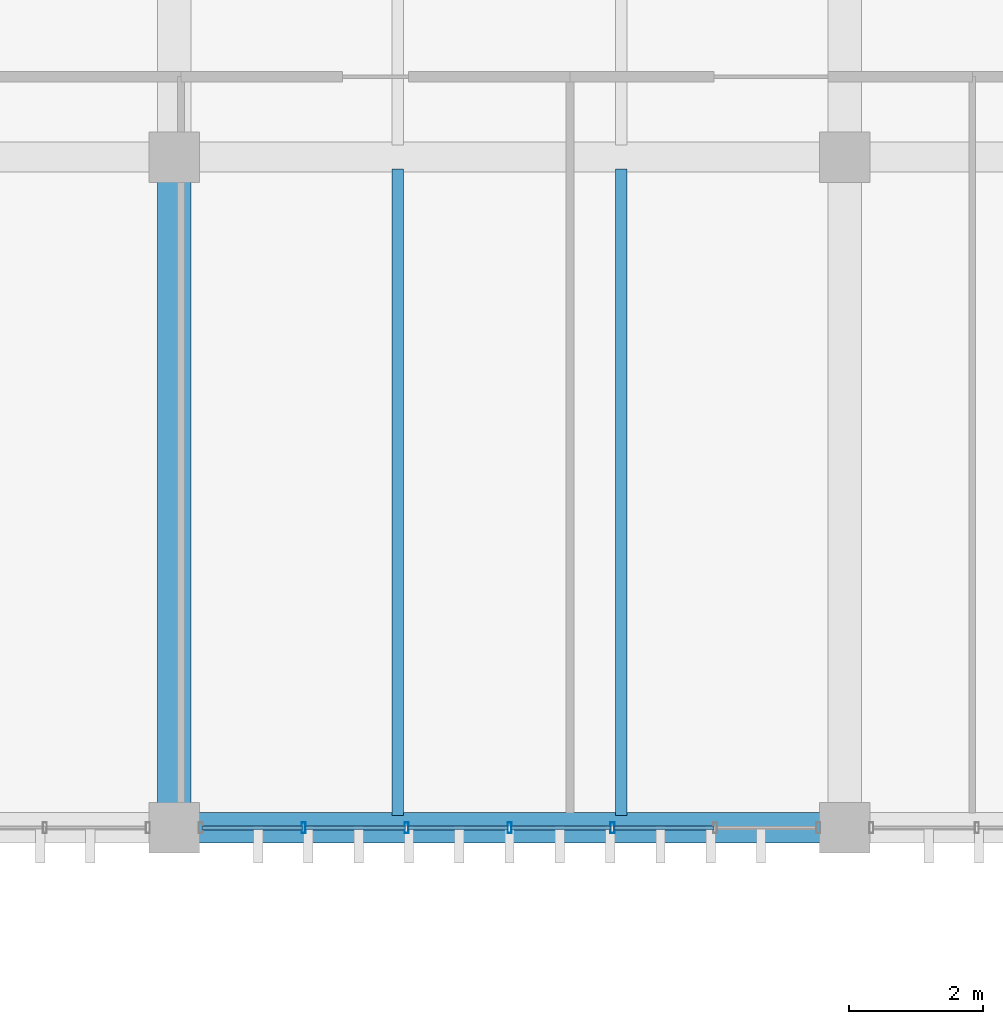
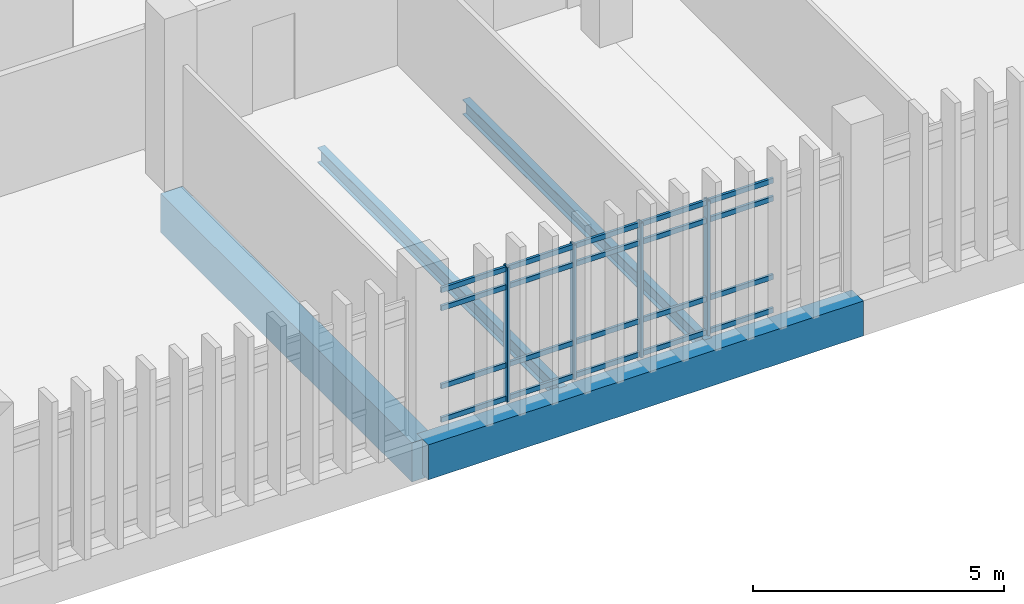
# One storey, part 85 of 161: 24 members, 4 beams, 1 element without a shape of its own.
"""IFC4 building model written with IfcOpenShell, lengths in metres."""

from ifc_helpers import new_model, si_unit, direction, frame, origin, origin_2d, place, context, subcontext, project, spatial, rectangle, hollow_rectangle, i_section, extrude, material, layer, layer_set, material_profile, profile_set, type_object, element, aggregate, save


model = new_model("IFC4")

# Units and contexts
model_context = context("Model", 3, precision=1e-05, world=origin(), true_north=direction((0.0, 1.0)))
body_context = subcontext(model_context, "Body", "Model", "MODEL_VIEW")
ifc_project = project(units=[si_unit("LENGTHUNIT", "METRE"), si_unit("AREAUNIT", "SQUARE_METRE"), si_unit("VOLUMEUNIT", "CUBIC_METRE"), si_unit("PLANEANGLEUNIT", "RADIAN"), si_unit("MASSUNIT", "GRAM", prefix="KILO")], contexts=[model_context])

# Site, building, storey
site_placement = place(None, origin())
site = spatial("IfcSite", under=ifc_project, at=site_placement, CompositionType="ELEMENT")
building_placement = place(site_placement, origin())
building = spatial("IfcBuilding", under=site, at=building_placement, Name="Mersad Railyard Sports Hall", CompositionType="ELEMENT")
storey_placement = place(building_placement, frame((0.0, 0.0, 4.800048828125)))
storey = spatial("IfcBuildingStorey", under=building, at=storey_placement, Name="L01", CompositionType="ELEMENT", Elevation=4.800048828125)

# Curtain wall, members
ifc_material_1 = material(Name="Aluminium 6063-T6", Category="aluminium")
ifc_layer = layer(ifc_material_1, 0.159912109375)
ifc_layer_set = layer_set([ifc_layer], Name="Aluminium 6063-T6")
curtain_wall_type = type_object("IfcCurtainWallType", Name="ARC-CW-CW38", PredefinedType="USERDEFINED", material=ifc_layer_set)
curtain_wall_placement = place(storey_placement, origin())
curtain_wall = element("IfcCurtainWall", 1, at=curtain_wall_placement, inside=storey, type_object=curtain_wall_type, Name="Curtain wall CW38-0110", ObjectType="CURTAIN WALL", PredefinedType="USERDEFINED")
ifc_material_profile_1 = material_profile(ifc_material_1, hollow_rectangle(XDim=0.06005859375, YDim=0.159912109375, WallThickness=0.00390625, at=origin_2d()), Name="AL MULLION 60x160x4")
ifc_profile_set_1 = profile_set([ifc_material_profile_1], Name="Aluminium 6063-T6")
member_type_1 = type_object("IfcMemberType", Name="ARC-CW-MUL01", PredefinedType="MULLION", material=ifc_profile_set_1)
member_1_placement = place(storey_placement, frame((117.534912109375, 85.0, -0.02001953125), z_axis=(0.0, 0.0, 1.0), x_axis=(1.0, 0.0, 0.0)))
member_1 = element("IfcMember", 2, at=member_1_placement, type_object=member_type_1, Name="CW38 Mullion 3", PredefinedType="MULLION", context=body_context, shape_type="SweptSolid", body=[
    extrude(hollow_rectangle(XDim=0.06005859375, YDim=0.159912109375, WallThickness=0.00390625, at=origin_2d()), origin(), (0.0, 0.0, 1.0), 3.27001953125),
])
member_2_placement = place(storey_placement, frame((116.0, 85.0, -0.02001953125), z_axis=(0.0, 0.0, 1.0), x_axis=(1.0, 0.0, 0.0)))
member_2 = element("IfcMember", 3, at=member_2_placement, type_object=member_type_1, Name="CW38 Mullion 4", PredefinedType="MULLION", context=body_context, shape_type="SweptSolid", body=[
    extrude(hollow_rectangle(XDim=0.06005859375, YDim=0.159912109375, WallThickness=0.00390625, at=origin_2d()), origin(), (0.0, 0.0, 1.0), 3.27001953125),
])
member_3_placement = place(storey_placement, frame((114.465087890625, 85.0, -0.02001953125), z_axis=(0.0, 0.0, 1.0), x_axis=(1.0, 0.0, 0.0)))
member_3 = element("IfcMember", 4, at=member_3_placement, type_object=member_type_1, Name="CW38 Mullion 5", PredefinedType="MULLION", context=body_context, shape_type="SweptSolid", body=[
    extrude(hollow_rectangle(XDim=0.06005859375, YDim=0.159912109375, WallThickness=0.00390625, at=origin_2d()), origin(), (0.0, 0.0, 1.0), 3.27001953125),
])
member_4_placement = place(storey_placement, frame((112.929931640625, 85.0, -0.02001953125), z_axis=(0.0, 0.0, 1.0), x_axis=(1.0, 0.0, 0.0)))
member_4 = element("IfcMember", 5, at=member_4_placement, type_object=member_type_1, Name="CW38 Mullion 6", PredefinedType="MULLION", context=body_context, shape_type="SweptSolid", body=[
    extrude(hollow_rectangle(XDim=0.06005859375, YDim=0.159912109375, WallThickness=0.00390625, at=origin_2d()), origin(), (0.0, 0.0, 1.0), 3.27001953125),
])
ifc_material_profile_2 = material_profile(ifc_material_1, hollow_rectangle(XDim=0.06005859375, YDim=0.1201171875, WallThickness=0.00390625, at=origin_2d()), Name="AL TRANSOM 60x120x4")
ifc_profile_set_2 = profile_set([ifc_material_profile_2], Name="Aluminium 6063-T6")
member_type_2 = type_object("IfcMemberType", Name="ARC-CW-TRN01", PredefinedType="USERDEFINED", material=ifc_profile_set_2)
member_5_placement = place(storey_placement, frame((119.050048828125, 85.0, 0.0400390625), z_axis=(-1.0, 0.0, 0.0), x_axis=(0.0, -1.0, 0.0)))
member_5 = element("IfcMember", 6, at=member_5_placement, type_object=member_type_2, Name="CW38 Transom 1-2", ObjectType="TRANSOM", PredefinedType="USERDEFINED", context=body_context, shape_type="SweptSolid", body=[
    extrude(hollow_rectangle(XDim=0.06005859375, YDim=0.1201171875, WallThickness=0.00390625, at=origin_2d()), origin(), (0.0, 0.0, 1.0), 1.4951171875),
])
member_6_placement = place(storey_placement, frame((117.514892578125, 85.0, 0.0400390625), z_axis=(-1.0, 0.0, 0.0), x_axis=(0.0, -1.0, 0.0)))
member_6 = element("IfcMember", 7, at=member_6_placement, type_object=member_type_2, Name="CW38 Transom 1-3", ObjectType="TRANSOM", PredefinedType="USERDEFINED", context=body_context, shape_type="SweptSolid", body=[
    extrude(hollow_rectangle(XDim=0.06005859375, YDim=0.1201171875, WallThickness=0.00390625, at=origin_2d()), origin(), (0.0, 0.0, 1.0), 1.494873046875),
])
member_7_placement = place(storey_placement, frame((115.97998046875, 85.0, 0.0400390625), z_axis=(-1.0, 0.0, 0.0), x_axis=(0.0, -1.0, 0.0)))
member_7 = element("IfcMember", 8, at=member_7_placement, type_object=member_type_2, Name="CW38 Transom 1-4", ObjectType="TRANSOM", PredefinedType="USERDEFINED", context=body_context, shape_type="SweptSolid", body=[
    extrude(hollow_rectangle(XDim=0.06005859375, YDim=0.1201171875, WallThickness=0.00390625, at=origin_2d()), origin(), (0.0, 0.0, 1.0), 1.494873046875),
])
member_8_placement = place(storey_placement, frame((114.445068359375, 85.0, 0.0400390625), z_axis=(-1.0, 0.0, 0.0), x_axis=(0.0, -1.0, 0.0)))
member_8 = element("IfcMember", 9, at=member_8_placement, type_object=member_type_2, Name="CW38 Transom 1-5", ObjectType="TRANSOM", PredefinedType="USERDEFINED", context=body_context, shape_type="SweptSolid", body=[
    extrude(hollow_rectangle(XDim=0.06005859375, YDim=0.1201171875, WallThickness=0.00390625, at=origin_2d()), origin(), (0.0, 0.0, 1.0), 1.4951171875),
])
member_9_placement = place(storey_placement, frame((112.909912109375, 85.0, 0.0400390625), z_axis=(-1.0, 0.0, 0.0), x_axis=(0.0, -1.0, 0.0)))
member_9 = element("IfcMember", 10, at=member_9_placement, type_object=member_type_2, Name="CW38 Transom 1-6", ObjectType="TRANSOM", PredefinedType="USERDEFINED", context=body_context, shape_type="SweptSolid", body=[
    extrude(hollow_rectangle(XDim=0.06005859375, YDim=0.1201171875, WallThickness=0.00390625, at=origin_2d()), origin(), (0.0, 0.0, 1.0), 1.494873046875),
])
member_10_placement = place(storey_placement, frame((119.050048828125, 85.0, 0.849853515625), z_axis=(-1.0, 0.0, 0.0), x_axis=(0.0, -1.0, 0.0)))
member_10 = element("IfcMember", 11, at=member_10_placement, type_object=member_type_2, Name="CW38 Transom 2-2", ObjectType="TRANSOM", PredefinedType="USERDEFINED", context=body_context, shape_type="SweptSolid", body=[
    extrude(hollow_rectangle(XDim=0.06005859375, YDim=0.1201171875, WallThickness=0.00390625, at=origin_2d()), origin(), (0.0, 0.0, 1.0), 1.4951171875),
])
member_11_placement = place(storey_placement, frame((117.514892578125, 85.0, 0.849853515625), z_axis=(-1.0, 0.0, 0.0), x_axis=(0.0, -1.0, 0.0)))
member_11 = element("IfcMember", 12, at=member_11_placement, type_object=member_type_2, Name="CW38 Transom 2-3", ObjectType="TRANSOM", PredefinedType="USERDEFINED", context=body_context, shape_type="SweptSolid", body=[
    extrude(hollow_rectangle(XDim=0.06005859375, YDim=0.1201171875, WallThickness=0.00390625, at=origin_2d()), origin(), (0.0, 0.0, 1.0), 1.494873046875),
])
member_12_placement = place(storey_placement, frame((115.97998046875, 85.0, 0.849853515625), z_axis=(-1.0, 0.0, 0.0), x_axis=(0.0, -1.0, 0.0)))
member_12 = element("IfcMember", 13, at=member_12_placement, type_object=member_type_2, Name="CW38 Transom 2-4", ObjectType="TRANSOM", PredefinedType="USERDEFINED", context=body_context, shape_type="SweptSolid", body=[
    extrude(hollow_rectangle(XDim=0.06005859375, YDim=0.1201171875, WallThickness=0.00390625, at=origin_2d()), origin(), (0.0, 0.0, 1.0), 1.494873046875),
])
member_13_placement = place(storey_placement, frame((114.445068359375, 85.0, 0.849853515625), z_axis=(-1.0, 0.0, 0.0), x_axis=(0.0, -1.0, 0.0)))
member_13 = element("IfcMember", 14, at=member_13_placement, type_object=member_type_2, Name="CW38 Transom 2-5", ObjectType="TRANSOM", PredefinedType="USERDEFINED", context=body_context, shape_type="SweptSolid", body=[
    extrude(hollow_rectangle(XDim=0.06005859375, YDim=0.1201171875, WallThickness=0.00390625, at=origin_2d()), origin(), (0.0, 0.0, 1.0), 1.4951171875),
])
member_14_placement = place(storey_placement, frame((112.909912109375, 85.0, 0.849853515625), z_axis=(-1.0, 0.0, 0.0), x_axis=(0.0, -1.0, 0.0)))
member_14 = element("IfcMember", 15, at=member_14_placement, type_object=member_type_2, Name="CW38 Transom 2-6", ObjectType="TRANSOM", PredefinedType="USERDEFINED", context=body_context, shape_type="SweptSolid", body=[
    extrude(hollow_rectangle(XDim=0.06005859375, YDim=0.1201171875, WallThickness=0.00390625, at=origin_2d()), origin(), (0.0, 0.0, 1.0), 1.494873046875),
])
member_15_placement = place(storey_placement, frame((119.050048828125, 85.0, 2.75), z_axis=(-1.0, 0.0, 0.0), x_axis=(0.0, -1.0, 0.0)))
member_15 = element("IfcMember", 16, at=member_15_placement, type_object=member_type_2, Name="CW38 Transom 3-2", ObjectType="TRANSOM", PredefinedType="USERDEFINED", context=body_context, shape_type="SweptSolid", body=[
    extrude(hollow_rectangle(XDim=0.06005859375, YDim=0.1201171875, WallThickness=0.00390625, at=origin_2d()), origin(), (0.0, 0.0, 1.0), 1.4951171875),
])
member_16_placement = place(storey_placement, frame((117.514892578125, 85.0, 2.75), z_axis=(-1.0, 0.0, 0.0), x_axis=(0.0, -1.0, 0.0)))
member_16 = element("IfcMember", 17, at=member_16_placement, type_object=member_type_2, Name="CW38 Transom 3-3", ObjectType="TRANSOM", PredefinedType="USERDEFINED", context=body_context, shape_type="SweptSolid", body=[
    extrude(hollow_rectangle(XDim=0.06005859375, YDim=0.1201171875, WallThickness=0.00390625, at=origin_2d()), origin(), (0.0, 0.0, 1.0), 1.494873046875),
])
member_17_placement = place(storey_placement, frame((115.97998046875, 85.0, 2.75), z_axis=(-1.0, 0.0, 0.0), x_axis=(0.0, -1.0, 0.0)))
member_17 = element("IfcMember", 18, at=member_17_placement, type_object=member_type_2, Name="CW38 Transom 3-4", ObjectType="TRANSOM", PredefinedType="USERDEFINED", context=body_context, shape_type="SweptSolid", body=[
    extrude(hollow_rectangle(XDim=0.06005859375, YDim=0.1201171875, WallThickness=0.00390625, at=origin_2d()), origin(), (0.0, 0.0, 1.0), 1.494873046875),
])
member_18_placement = place(storey_placement, frame((114.445068359375, 85.0, 2.75), z_axis=(-1.0, 0.0, 0.0), x_axis=(0.0, -1.0, 0.0)))
member_18 = element("IfcMember", 19, at=member_18_placement, type_object=member_type_2, Name="CW38 Transom 3-5", ObjectType="TRANSOM", PredefinedType="USERDEFINED", context=body_context, shape_type="SweptSolid", body=[
    extrude(hollow_rectangle(XDim=0.06005859375, YDim=0.1201171875, WallThickness=0.00390625, at=origin_2d()), origin(), (0.0, 0.0, 1.0), 1.4951171875),
])
member_19_placement = place(storey_placement, frame((112.909912109375, 85.0, 2.75), z_axis=(-1.0, 0.0, 0.0), x_axis=(0.0, -1.0, 0.0)))
member_19 = element("IfcMember", 20, at=member_19_placement, type_object=member_type_2, Name="CW38 Transom 3-6", ObjectType="TRANSOM", PredefinedType="USERDEFINED", context=body_context, shape_type="SweptSolid", body=[
    extrude(hollow_rectangle(XDim=0.06005859375, YDim=0.1201171875, WallThickness=0.00390625, at=origin_2d()), origin(), (0.0, 0.0, 1.0), 1.494873046875),
])
member_20_placement = place(storey_placement, frame((119.050048828125, 85.0, 3.18994140625), z_axis=(-1.0, 0.0, 0.0), x_axis=(0.0, -1.0, 0.0)))
member_20 = element("IfcMember", 21, at=member_20_placement, type_object=member_type_2, Name="CW38 Transom 4-2", ObjectType="TRANSOM", PredefinedType="USERDEFINED", context=body_context, shape_type="SweptSolid", body=[
    extrude(hollow_rectangle(XDim=0.06005859375, YDim=0.1201171875, WallThickness=0.00390625, at=origin_2d()), origin(), (0.0, 0.0, 1.0), 1.4951171875),
])
member_21_placement = place(storey_placement, frame((117.514892578125, 85.0, 3.18994140625), z_axis=(-1.0, 0.0, 0.0), x_axis=(0.0, -1.0, 0.0)))
member_21 = element("IfcMember", 22, at=member_21_placement, type_object=member_type_2, Name="CW38 Transom 4-3", ObjectType="TRANSOM", PredefinedType="USERDEFINED", context=body_context, shape_type="SweptSolid", body=[
    extrude(hollow_rectangle(XDim=0.06005859375, YDim=0.1201171875, WallThickness=0.00390625, at=origin_2d()), origin(), (0.0, 0.0, 1.0), 1.494873046875),
])
member_22_placement = place(storey_placement, frame((115.97998046875, 85.0, 3.18994140625), z_axis=(-1.0, 0.0, 0.0), x_axis=(0.0, -1.0, 0.0)))
member_22 = element("IfcMember", 23, at=member_22_placement, type_object=member_type_2, Name="CW38 Transom 4-4", ObjectType="TRANSOM", PredefinedType="USERDEFINED", context=body_context, shape_type="SweptSolid", body=[
    extrude(hollow_rectangle(XDim=0.06005859375, YDim=0.1201171875, WallThickness=0.00390625, at=origin_2d()), origin(), (0.0, 0.0, 1.0), 1.494873046875),
])
member_23_placement = place(storey_placement, frame((114.445068359375, 85.0, 3.18994140625), z_axis=(-1.0, 0.0, 0.0), x_axis=(0.0, -1.0, 0.0)))
member_23 = element("IfcMember", 24, at=member_23_placement, type_object=member_type_2, Name="CW38 Transom 4-5", ObjectType="TRANSOM", PredefinedType="USERDEFINED", context=body_context, shape_type="SweptSolid", body=[
    extrude(hollow_rectangle(XDim=0.06005859375, YDim=0.1201171875, WallThickness=0.00390625, at=origin_2d()), origin(), (0.0, 0.0, 1.0), 1.4951171875),
])
member_24_placement = place(storey_placement, frame((112.909912109375, 85.0, 3.18994140625), z_axis=(-1.0, 0.0, 0.0), x_axis=(0.0, -1.0, 0.0)))
member_24 = element("IfcMember", 25, at=member_24_placement, type_object=member_type_2, Name="CW38 Transom 4-6", ObjectType="TRANSOM", PredefinedType="USERDEFINED", context=body_context, shape_type="SweptSolid", body=[
    extrude(hollow_rectangle(XDim=0.06005859375, YDim=0.1201171875, WallThickness=0.00390625, at=origin_2d()), origin(), (0.0, 0.0, 1.0), 1.494873046875),
])
aggregate(curtain_wall, [member_1, member_2, member_3, member_4, member_5, member_6, member_7, member_8, member_9, member_10, member_11, member_12, member_13, member_14, member_15, member_16, member_17, member_18, member_19, member_20, member_21, member_22, member_23, member_24])

# Beams
ifc_material_2 = material(Name="Concrete C40/50", Category="concrete")
ifc_material_profile_3 = material_profile(ifc_material_2, rectangle(XDim=0.449951171875, YDim=0.85009765625, at=origin_2d()), Name="RC 450x850")
ifc_profile_set_3 = profile_set([ifc_material_profile_3], Name="Concrete C40/50")
beam_type_1 = type_object("IfcBeamType", Name="STR-BM-B02", PredefinedType="BEAM", material=ifc_profile_set_3)
beam_1_placement = place(storey_placement, frame((111.0, 85.0, -0.72509765625), z_axis=(1.0, 0.0, 0.0), x_axis=(0.0, 1.0, 0.0)))
element("IfcBeam", 26, at=beam_1_placement, inside=storey, type_object=beam_type_1, Name="Beam B02-0930", PredefinedType="BEAM", context=body_context, shape_type="SweptSolid", body=[
    extrude(rectangle(XDim=0.449951171875, YDim=0.85009765625, at=origin_2d()), origin(), (0.0, 0.0, 1.0), 10.0),
])
ifc_material_3 = material(Name="Concrete C50/60", Category="concrete")
ifc_material_profile_4 = material_profile(ifc_material_3, rectangle(XDim=0.5, YDim=0.949951171875, at=origin_2d()), Name="RC 500x950")
ifc_profile_set_4 = profile_set([ifc_material_profile_4], Name="Concrete C50/60")
beam_type_2 = type_object("IfcBeamType", Name="STR-BM-B03", PredefinedType="BEAM", material=ifc_profile_set_4)
beam_2_placement = place(storey_placement, frame((111.0, 85.0, -0.775146484375), z_axis=(0.0, 1.0, 0.0), x_axis=(-1.0, 0.0, 0.0)))
element("IfcBeam", 27, at=beam_2_placement, inside=storey, type_object=beam_type_2, Name="Beam B03-0974", PredefinedType="BEAM", context=body_context, shape_type="SweptSolid", body=[
    extrude(rectangle(XDim=0.5, YDim=0.949951171875, at=origin_2d()), origin(), (0.0, 0.0, 1.0), 10.0),
])
ifc_material_4 = material(Name="Steel S355", Category="steel")
ifc_material_profile_5 = material_profile(ifc_material_4, i_section(OverallWidth=0.169921875, OverallDepth=0.360107421875, WebThickness=0.008056640625, FlangeThickness=0.0126953125, at=origin_2d()), Name="IPE 360")
ifc_profile_set_5 = profile_set([ifc_material_profile_5], Name="Steel S355")
beam_type_3 = type_object("IfcBeamType", Name="STR-BM-J03", PredefinedType="JOIST", material=ifc_profile_set_5)
for number, where, z_axis, x_axis, name in (
    (28, (114.3330078125, 85.179931640625, -0.47998046875), (0.0, 1.0, 0.0), (-1.0, 0.0, 0.0), "Beam J03-1039"),
    (29, (117.6669921875, 85.179931640625, -0.47998046875), (0.0, 1.0, 0.0), (-1.0, 0.0, 0.0), "Beam J03-1040"),
):
    element("IfcBeam", number, at=place(storey_placement, frame(where, z_axis=z_axis, x_axis=x_axis)), inside=storey, type_object=beam_type_3, Name=name, PredefinedType="JOIST", context=body_context, shape_type="SweptSolid", body=[
        extrude(i_section(OverallWidth=0.169921875, OverallDepth=0.360107421875, WebThickness=0.008056640625, FlangeThickness=0.0126953125, at=origin_2d()), origin(), (0.0, 0.0, 1.0), 9.64013671875),
    ])

save(model, "model.ifc")
